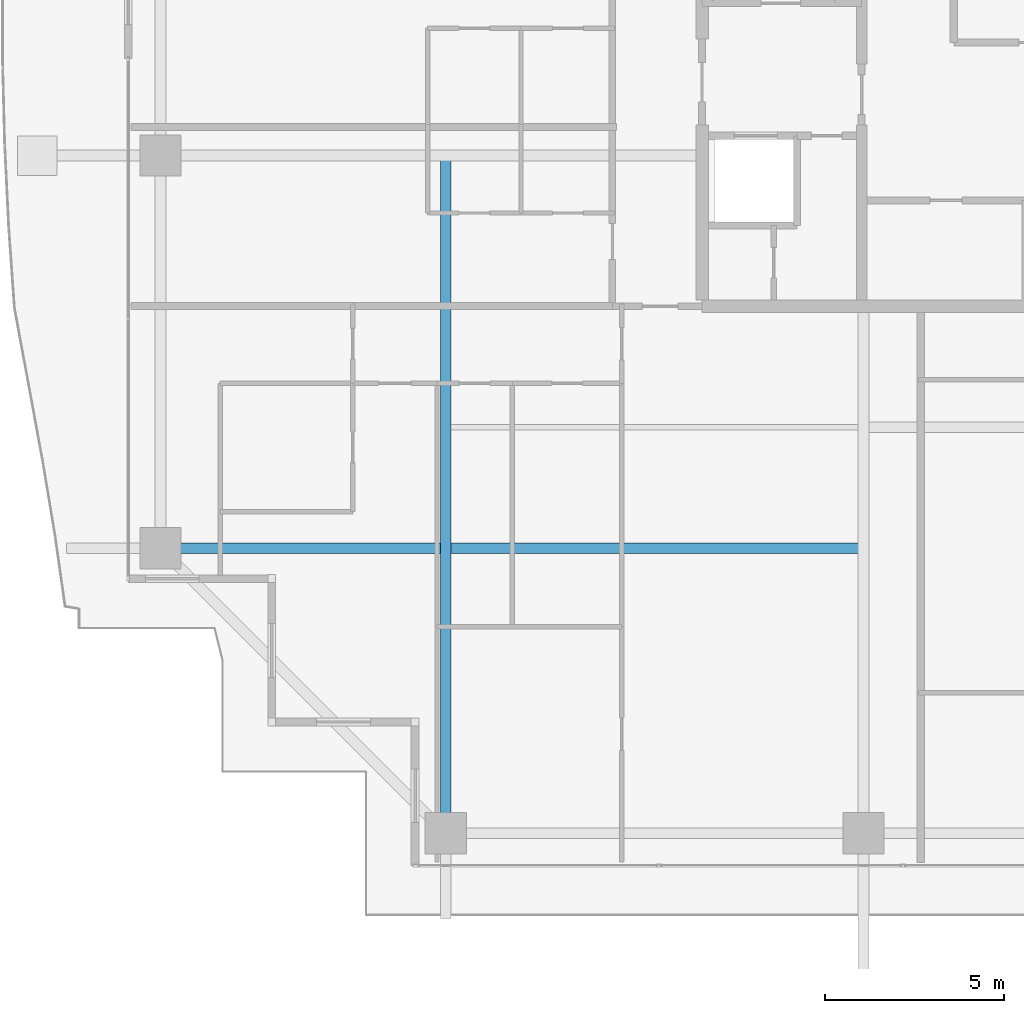
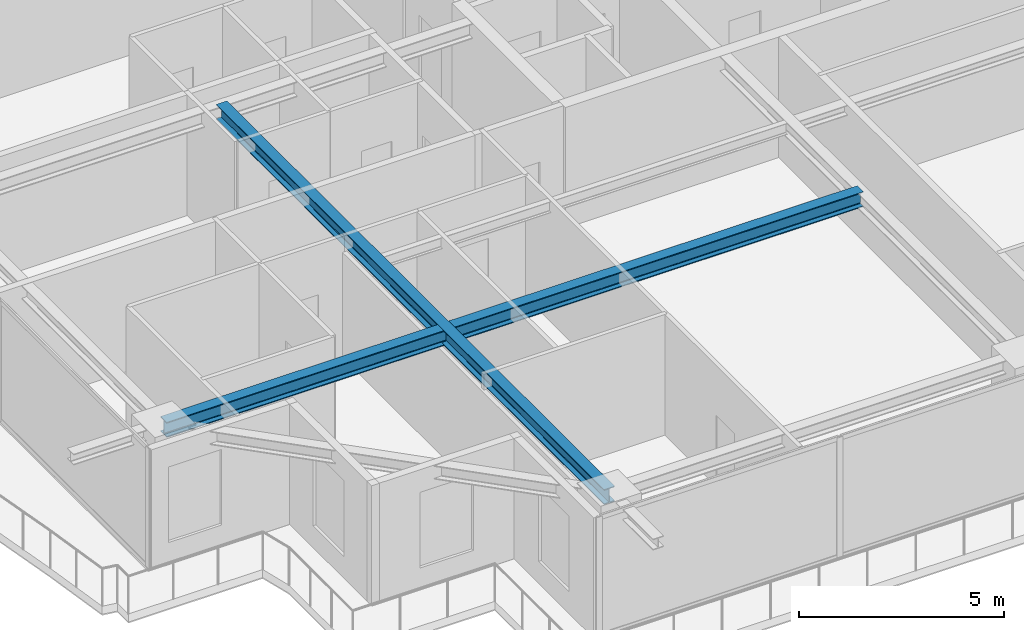
# One storey, part 4 of 38: 2 beams.
"""IFC4 building model written with IfcOpenShell, lengths in metres."""

from ifc_helpers import new_model, si_unit, direction, frame, origin, origin_2d, place, context, subcontext, project, spatial, i_section, extrude, source, transform, mapped, material, material_profile, profile_set, type_object, element, save


model = new_model("IFC4")

# Units and contexts
model_context = context("Model", 3, precision=1e-05, world=origin(), true_north=direction((0.0, 1.0)))
body_context = subcontext(model_context, "Body", "Model", "MODEL_VIEW")
ifc_project = project(units=[si_unit("LENGTHUNIT", "METRE"), si_unit("AREAUNIT", "SQUARE_METRE"), si_unit("VOLUMEUNIT", "CUBIC_METRE"), si_unit("PLANEANGLEUNIT", "RADIAN"), si_unit("MASSUNIT", "GRAM", prefix="KILO")], contexts=[model_context])

# Site, building, storey
site_placement = place(None, origin())
site = spatial("IfcSite", under=ifc_project, at=site_placement, CompositionType="ELEMENT")
building_placement = place(site_placement, origin())
building = spatial("IfcBuilding", under=site, at=building_placement, Name="Serunith Strait Residences", CompositionType="ELEMENT")
storey_placement = place(building_placement, frame((0.0, 0.0, 237.39990234375)))
storey = spatial("IfcBuildingStorey", under=building, at=storey_placement, Name="L59", CompositionType="ELEMENT", Elevation=237.39990234375)

# Beams
ifc_material = material(Name="Steel S355J2", Category="steel")
ifc_material_profile = material_profile(ifc_material, i_section(OverallWidth=0.300048828125, OverallDepth=0.449951171875, WebThickness=0.013916015625, FlangeThickness=0.02587890625, FilletRadius=0.027099609375, at=origin_2d()), Name="HEB 450")
ifc_profile_set = profile_set([ifc_material_profile], Name="Steel S355J2")
beam_type = type_object("IfcBeamType", Name="BM-HEB450", PredefinedType="BEAM", material=ifc_profile_set)
shared_shape_1 = source(origin(), body_context, "Body", "SweptSolid", [
    extrude(i_section(OverallWidth=0.300048828125, OverallDepth=0.449951171875, WebThickness=0.013916015625, FlangeThickness=0.02587890625, FilletRadius=0.027099609375, at=origin_2d()), origin(), (0.0, 0.0, 1.0), 18.89990234375),
])
beam_1_placement = place(storey_placement, frame((16.25, 21.0, 3.362060546875), z_axis=(0.0, -1.0, 0.0), x_axis=(1.0, 0.0, 0.0)))
element("IfcBeam", 1, at=beam_1_placement, inside=storey, type_object=beam_type, Name="L59 Orthogonal Corner Girder TC-S1", PredefinedType="BEAM", context=body_context, shape_type="MappedRepresentation", body=[
    mapped(shared_shape_1, transform((0.0, 0.0, 0.0), scale=1.0)),
])
shared_shape_2 = source(origin(), body_context, "Body", "SweptSolid", [
    extrude(i_section(OverallWidth=0.300048828125, OverallDepth=0.449951171875, WebThickness=0.013916015625, FlangeThickness=0.02587890625, FilletRadius=0.027099609375, at=origin_2d()), origin(), (0.0, 0.0, 1.0), 19.599853515625),
])
beam_2_placement = place(storey_placement, frame((27.89990234375, 10.050048828125, 3.362060546875), z_axis=(-1.0, 0.0, 0.0), x_axis=(0.0, -1.0, 0.0)))
element("IfcBeam", 2, at=beam_2_placement, inside=storey, type_object=beam_type, Name="L59 Orthogonal Corner Girder TC-W1", PredefinedType="BEAM", context=body_context, shape_type="MappedRepresentation", body=[
    mapped(shared_shape_2, transform((0.0, 0.0, 0.0), scale=1.0)),
])

save(model, "model.ifc")
